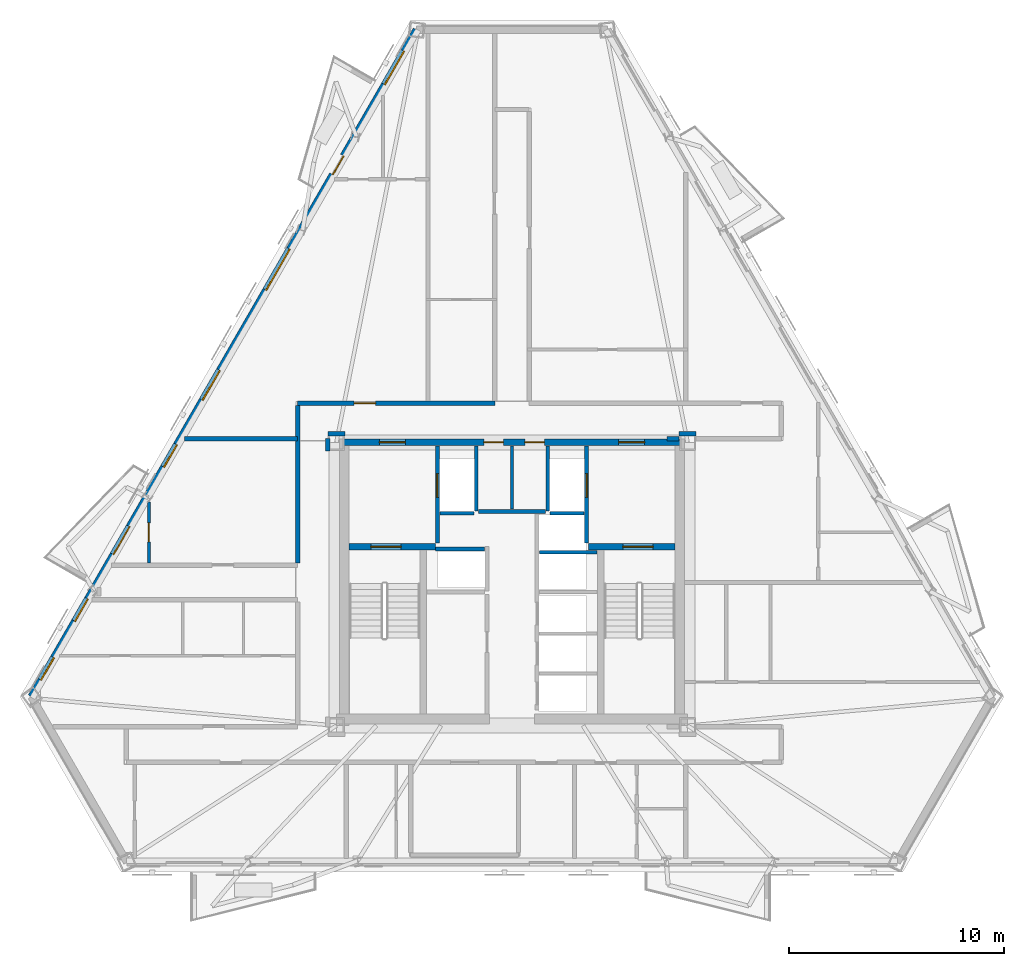
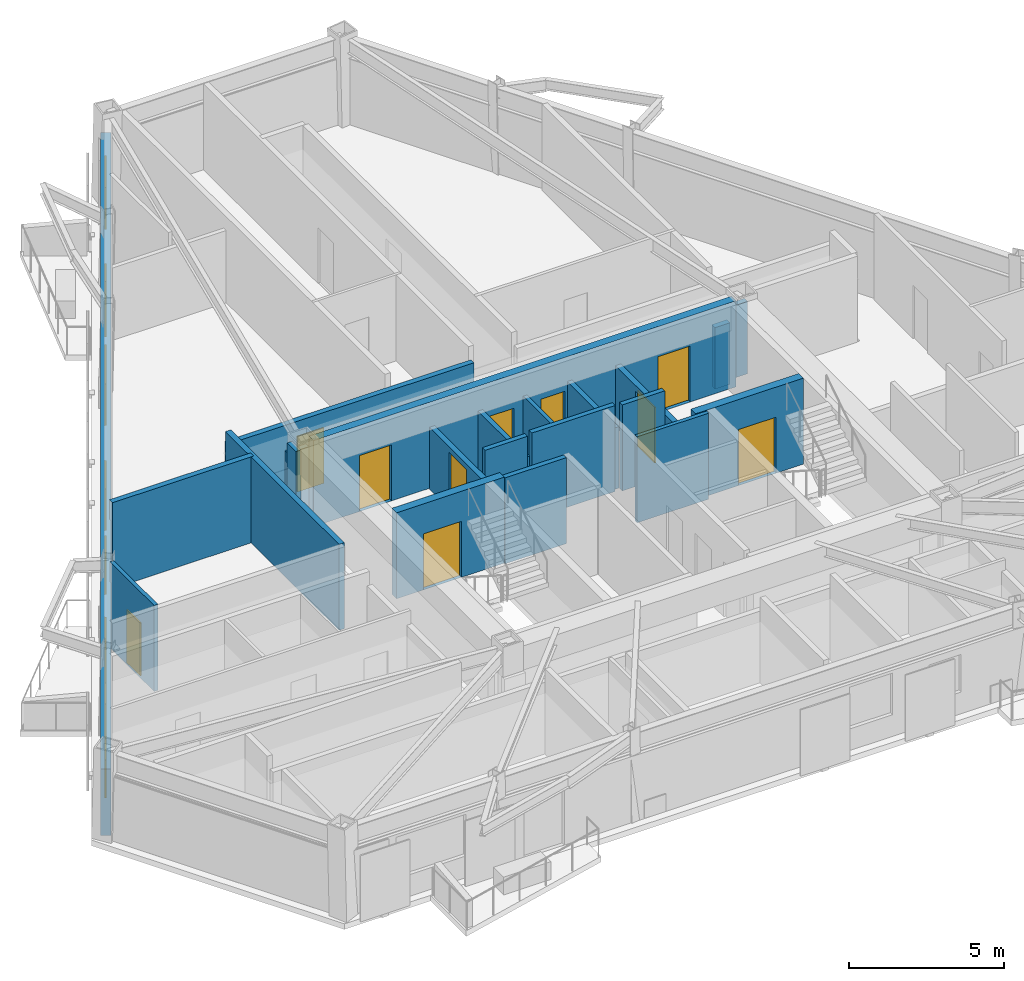
# One storey, part 4 of 9: 22 walls, 12 doors, 6 windows, 18 openings.
"""IFC4 building model written with IfcOpenShell, lengths in metres."""

from ifc_helpers import new_model, si_unit, direction, frame, frame_2d, origin, place, context, subcontext, project, spatial, rectangle, extrude, material, layer, layer_set, type_object, element, fill, save


model = new_model("IFC4")

# Units and contexts
model_context = context("Model", 3, precision=1e-05, world=origin(), true_north=direction((0.0, 1.0)))
body_context = subcontext(model_context, "Body", "Model", "MODEL_VIEW")
ifc_project = project(units=[si_unit("LENGTHUNIT", "METRE"), si_unit("AREAUNIT", "SQUARE_METRE"), si_unit("VOLUMEUNIT", "CUBIC_METRE"), si_unit("PLANEANGLEUNIT", "RADIAN"), si_unit("MASSUNIT", "GRAM", prefix="KILO")], contexts=[model_context])

# Site, building, storey
site_placement = place(None, origin())
site = spatial("IfcSite", under=ifc_project, at=site_placement, CompositionType="ELEMENT")
building_placement = place(site_placement, origin())
building = spatial("IfcBuilding", under=site, at=building_placement, Name="Oramaril Tower", CompositionType="ELEMENT")
storey_placement = place(building_placement, frame((0.0, 0.0, 163.800048828125)))
storey = spatial("IfcBuildingStorey", under=building, at=storey_placement, Name="L43", CompositionType="ELEMENT", Elevation=163.800048828125)

# Wall, openings, doors, windows
ifc_material_1 = material(Name="Warm Cream Limestone", Category="masonry")
ifc_layer_1 = layer(ifc_material_1, 0.340087890625)
ifc_layer_set_1 = layer_set([ifc_layer_1], Name="WT-EXT34")
wall_type_1 = type_object("IfcWallType", Name="WT-EXT34", PredefinedType="SOLIDWALL", material=ifc_layer_set_1)
wall_1_placement = place(storey_placement, frame((33.064697265625, 43.2939453125, 0.0), z_axis=(0.0, 0.0, 1.0), x_axis=(-0.499998611639, -0.866026205354, 0.0)))
wall_1 = element("IfcWall", 1, at=wall_1_placement, inside=storey, type_object=wall_type_1, Name="L43 Tower Limestone Facade Wall 6M", PredefinedType="SOLIDWALL", context=body_context, shape_type="SweptSolid", body=[
    extrude(rectangle(XDim=35.73779296875, YDim=0.340087890625, at=frame_2d((17.868896484375, 0.0))), origin(), (0.0, 0.0, 1.0), 2.599853515625),
])
opening_1_placement = place(wall_1_placement, frame((6.759521484375, 0.0, 0.0)))
opening_1 = element("IfcOpeningElement", 2, at=opening_1_placement, cuts=wall_1, Name="Opening D-L43-BAL-NW1", PredefinedType="OPENING", context=body_context, shape_type="SweptSolid", body=[
    extrude(rectangle(XDim=1.0, YDim=2.179931640625, at=frame_2d((0.5, 1.08984375))), frame((0.0, 0.169921875, 0.0), z_axis=(0.0, -1.0, 0.0), x_axis=(1.0, 0.0, 0.0)), (0.0, 0.0, 1.0), 0.340087890625),
])
opening_2_placement = place(wall_1_placement, frame((26.62353515625, 0.0, 0.0)))
opening_2 = element("IfcOpeningElement", 3, at=opening_2_placement, cuts=wall_1, Name="Opening D-L43-BAL-NW2", PredefinedType="OPENING", context=body_context, shape_type="SweptSolid", body=[
    extrude(rectangle(XDim=1.5, YDim=2.199951171875, at=frame_2d((0.75, 1.10009765625))), frame((0.0, 0.169921875, 0.0), z_axis=(0.0, -1.0, 0.0), x_axis=(1.0, 0.0, 0.0)), (0.0, 0.0, 1.0), 0.340087890625),
])
opening_3_placement = place(wall_1_placement, frame((33.6484375, 0.0, 0.85009765625)))
opening_3 = element("IfcOpeningElement", 4, at=opening_3_placement, cuts=wall_1, Name="Opening WN-09", PredefinedType="OPENING", context=body_context, shape_type="SweptSolid", body=[
    extrude(rectangle(XDim=1.199951171875, YDim=1.47998046875, at=frame_2d((0.60009765625, 0.739990234375))), frame((0.0, 0.169921875, 0.0), z_axis=(0.0, -1.0, 0.0), x_axis=(1.0, 0.0, 0.0)), (0.0, 0.0, 1.0), 0.340087890625),
])
opening_4_placement = place(wall_1_placement, frame((22.239501953125, 0.0, 0.85009765625)))
opening_4 = element("IfcOpeningElement", 5, at=opening_4_placement, cuts=wall_1, Name="Opening WN-09", PredefinedType="OPENING", context=body_context, shape_type="SweptSolid", body=[
    extrude(rectangle(XDim=1.199951171875, YDim=1.47998046875, at=frame_2d((0.60009765625, 0.739990234375))), frame((0.0, 0.169921875, 0.0), z_axis=(0.0, -1.0, 0.0), x_axis=(1.0, 0.0, 0.0)), (0.0, 0.0, 1.0), 0.340087890625),
])
opening_5_placement = place(wall_1_placement, frame((11.751220703125, 0.0, 0.85009765625)))
opening_5 = element("IfcOpeningElement", 6, at=opening_5_placement, cuts=wall_1, Name="Opening WN-04", PredefinedType="OPENING", context=body_context, shape_type="SweptSolid", body=[
    extrude(rectangle(XDim=2.199951171875, YDim=1.639892578125, at=frame_2d((1.10009765625, 0.81982421875))), frame((0.0, 0.169921875, 0.0), z_axis=(0.0, -1.0, 0.0), x_axis=(1.0, 0.0, 0.0)), (0.0, 0.0, 1.0), 0.340087890625),
])
opening_6_placement = place(wall_1_placement, frame((18.248046875, 0.0, 0.85009765625)))
opening_6 = element("IfcOpeningElement", 7, at=opening_6_placement, cuts=wall_1, Name="Opening WN-07", PredefinedType="OPENING", context=body_context, shape_type="SweptSolid", body=[
    extrude(rectangle(XDim=1.60009765625, YDim=1.639892578125, at=frame_2d((0.800048828125, 0.81982421875))), frame((0.0, 0.169921875, 0.0), z_axis=(0.0, -1.0, 0.0), x_axis=(1.0, 0.0, 0.0)), (0.0, 0.0, 1.0), 0.340087890625),
])
opening_7_placement = place(wall_1_placement, frame((1.13916015625, 0.0, 0.85009765625)))
opening_7 = element("IfcOpeningElement", 8, at=opening_7_placement, cuts=wall_1, Name="Opening WN-06", PredefinedType="OPENING", context=body_context, shape_type="SweptSolid", body=[
    extrude(rectangle(XDim=1.800048828125, YDim=1.639892578125, at=frame_2d((0.89990234375, 0.81982421875))), frame((0.0, 0.169921875, 0.0), z_axis=(0.0, -1.0, 0.0), x_axis=(1.0, 0.0, 0.0)), (0.0, 0.0, 1.0), 0.340087890625),
])
opening_8_placement = place(wall_1_placement, frame((30.5, 0.0, 0.85009765625)))
opening_8 = element("IfcOpeningElement", 9, at=opening_8_placement, cuts=wall_1, Name="Opening WN-09", PredefinedType="OPENING", context=body_context, shape_type="SweptSolid", body=[
    extrude(rectangle(XDim=1.199951171875, YDim=1.47998046875, at=frame_2d((0.60009765625, 0.739990234375))), frame((0.0, 0.169921875, 0.0), z_axis=(0.0, -1.0, 0.0), x_axis=(1.0, 0.0, 0.0)), (0.0, 0.0, 1.0), 0.340087890625),
])
ifc_material_2 = material(Name="Anodised Aluminium 6063-T6", Category="aluminium")
door_type_1 = type_object("IfcDoorType", Name="DT-BAL", OperationType="NOTDEFINED", PredefinedType="DOOR", material=ifc_material_2)
door_1_placement = place(opening_2_placement, origin())
door_1 = element("IfcDoor", 10, at=door_1_placement, inside=storey, type_object=door_type_1, Name="L43 Balcony Glazed Door L43-BAL-NW2", OperationType="SINGLE_SWING_LEFT", OverallHeight=2.199951171875, OverallWidth=1.5, PredefinedType="DOOR", context=body_context, shape_type="SweptSolid", body=[
    extrude(rectangle(XDim=1.5, YDim=2.199951171875, at=frame_2d((0.75, 1.10009765625))), frame((0.0, 0.02490234375, 0.0), z_axis=(0.0, -1.0, 0.0), x_axis=(1.0, 0.0, 0.0)), (0.0, 0.0, 1.0), 0.050048828125),
])
fill(opening_2, door_1)
ifc_material_3 = material(Name="Anodised Aluminium 6063-T6", Category="aluminium")
door_type_2 = type_object("IfcDoorType", Name="DT-BALN", OperationType="NOTDEFINED", PredefinedType="DOOR", material=ifc_material_3)
door_2_placement = place(opening_1_placement, origin())
door_2 = element("IfcDoor", 11, at=door_2_placement, inside=storey, type_object=door_type_2, Name="L43 Balcony Glazed Door L43-BAL-NW1", OperationType="SINGLE_SWING_RIGHT", OverallHeight=2.179931640625, OverallWidth=1.0, PredefinedType="DOOR", context=body_context, shape_type="SweptSolid", body=[
    extrude(rectangle(XDim=1.0, YDim=2.179931640625, at=frame_2d((0.5, 1.08984375))), frame((0.0, 0.02490234375, 0.0), z_axis=(0.0, -1.0, 0.0), x_axis=(1.0, 0.0, 0.0)), (0.0, 0.0, 1.0), 0.050048828125),
])
fill(opening_1, door_2)
ifc_material_4 = material(Name="Coastal Low-E Insulated Glass", Category="glass")
window_type_1 = type_object("IfcWindowType", Name="WNT-04", PartitioningType="SINGLE_PANEL", PredefinedType="WINDOW", material=ifc_material_4)
window_1_placement = place(opening_5_placement, origin())
window_1 = element("IfcWindow", 12, at=window_1_placement, inside=storey, type_object=window_type_1, Name="L43 Chicago Bay Window WN-04", OverallHeight=1.639892578125, OverallWidth=2.199951171875, PartitioningType="SINGLE_PANEL", PredefinedType="WINDOW", context=body_context, shape_type="SweptSolid", body=[
    extrude(rectangle(XDim=2.199951171875, YDim=1.639892578125, at=frame_2d((1.10009765625, 0.81982421875))), frame((0.0, 0.030029296875, 0.0), z_axis=(0.0, -1.0, 0.0), x_axis=(1.0, 0.0, 0.0)), (0.0, 0.0, 1.0), 0.06005859375),
])
fill(opening_5, window_1)
ifc_material_5 = material(Name="Coastal Low-E Insulated Glass", Category="glass")
window_type_2 = type_object("IfcWindowType", Name="WNT-06", PartitioningType="SINGLE_PANEL", PredefinedType="WINDOW", material=ifc_material_5)
window_2_placement = place(opening_7_placement, origin())
window_2 = element("IfcWindow", 13, at=window_2_placement, inside=storey, type_object=window_type_2, Name="L43 Chicago Bay Window WN-06", OverallHeight=1.639892578125, OverallWidth=1.800048828125, PartitioningType="SINGLE_PANEL", PredefinedType="WINDOW", context=body_context, shape_type="SweptSolid", body=[
    extrude(rectangle(XDim=1.800048828125, YDim=1.639892578125, at=frame_2d((0.89990234375, 0.81982421875))), frame((0.0, 0.030029296875, 0.0), z_axis=(0.0, -1.0, 0.0), x_axis=(1.0, 0.0, 0.0)), (0.0, 0.0, 1.0), 0.06005859375),
])
fill(opening_7, window_2)
ifc_material_6 = material(Name="Coastal Low-E Insulated Glass", Category="glass")
window_type_3 = type_object("IfcWindowType", Name="WNT-07", PartitioningType="SINGLE_PANEL", PredefinedType="WINDOW", material=ifc_material_6)
window_3_placement = place(opening_6_placement, origin())
window_3 = element("IfcWindow", 14, at=window_3_placement, inside=storey, type_object=window_type_3, Name="L43 Chicago Bay Window WN-07", OverallHeight=1.639892578125, OverallWidth=1.60009765625, PartitioningType="SINGLE_PANEL", PredefinedType="WINDOW", context=body_context, shape_type="SweptSolid", body=[
    extrude(rectangle(XDim=1.60009765625, YDim=1.639892578125, at=frame_2d((0.800048828125, 0.81982421875))), frame((0.0, 0.030029296875, 0.0), z_axis=(0.0, -1.0, 0.0), x_axis=(1.0, 0.0, 0.0)), (0.0, 0.0, 1.0), 0.06005859375),
])
fill(opening_6, window_3)
ifc_material_7 = material(Name="Coastal Low-E Insulated Glass", Category="glass")
window_type_4 = type_object("IfcWindowType", Name="WNT-09", PartitioningType="SINGLE_PANEL", PredefinedType="WINDOW", material=ifc_material_7)
window_4_placement = place(opening_3_placement, origin())
window_4 = element("IfcWindow", 15, at=window_4_placement, inside=storey, type_object=window_type_4, Name="L43 Chicago Bay Window WN-09", OverallHeight=1.47998046875, OverallWidth=1.199951171875, PartitioningType="SINGLE_PANEL", PredefinedType="WINDOW", context=body_context, shape_type="SweptSolid", body=[
    extrude(rectangle(XDim=1.199951171875, YDim=1.47998046875, at=frame_2d((0.60009765625, 0.739990234375))), frame((0.0, 0.030029296875, 0.0), z_axis=(0.0, -1.0, 0.0), x_axis=(1.0, 0.0, 0.0)), (0.0, 0.0, 1.0), 0.06005859375),
])
fill(opening_3, window_4)
window_5_placement = place(opening_4_placement, origin())
window_5 = element("IfcWindow", 16, at=window_5_placement, inside=storey, type_object=window_type_4, Name="L43 Chicago Bay Window WN-09", OverallHeight=1.47998046875, OverallWidth=1.199951171875, PartitioningType="SINGLE_PANEL", PredefinedType="WINDOW", context=body_context, shape_type="SweptSolid", body=[
    extrude(rectangle(XDim=1.199951171875, YDim=1.47998046875, at=frame_2d((0.60009765625, 0.739990234375))), frame((0.0, 0.030029296875, 0.0), z_axis=(0.0, -1.0, 0.0), x_axis=(1.0, 0.0, 0.0)), (0.0, 0.0, 1.0), 0.06005859375),
])
fill(opening_4, window_5)
window_6_placement = place(opening_8_placement, origin())
window_6 = element("IfcWindow", 17, at=window_6_placement, inside=storey, type_object=window_type_4, Name="L43 Apartment Bedroom Window WN-09", OverallHeight=1.47998046875, OverallWidth=1.199951171875, PartitioningType="SINGLE_PANEL", PredefinedType="WINDOW", context=body_context, shape_type="SweptSolid", body=[
    extrude(rectangle(XDim=1.199951171875, YDim=1.47998046875, at=frame_2d((0.60009765625, 0.739990234375))), frame((0.0, 0.030029296875, 0.0), z_axis=(0.0, -1.0, 0.0), x_axis=(1.0, 0.0, 0.0)), (0.0, 0.0, 1.0), 0.06005859375),
])
fill(opening_8, window_6)

# Walls
ifc_material_8 = material(Name="Acoustic Gypsum Board Partition")
ifc_layer_2 = layer(ifc_material_8, 0.139892578125)
ifc_layer_set_2 = layer_set([ifc_layer_2], Name="WT-PT14")
wall_type_2 = type_object("IfcWallType", Name="WT-PT14", PredefinedType="PARTITIONING", material=ifc_layer_set_2)
wall_2_placement = place(storey_placement, frame((38.780029296875, 19.050048828125, 0.0), z_axis=(0.0, 0.0, 1.0), x_axis=(1.0, 0.0, 0.0)))
element("IfcWall", 18, at=wall_2_placement, inside=storey, type_object=wall_type_2, Name="L43 East Lift Divider", PredefinedType="PARTITIONING", context=body_context, shape_type="SweptSolid", body=[
    extrude(rectangle(XDim=2.659912109375, YDim=0.139892578125, at=frame_2d((1.330078125, 0.0))), origin(), (0.0, 0.0, 1.0), 3.3798828125),
])
wall_3_placement = place(storey_placement, frame((37.5, 21.06005859375, 0.0), z_axis=(0.0, 0.0, 1.0), x_axis=(0.0, 1.0, 0.0)))
element("IfcWall", 19, at=wall_3_placement, inside=storey, type_object=wall_type_2, Name="L43 Core Service Divider", PredefinedType="PARTITIONING", context=body_context, shape_type="SweptSolid", body=[
    extrude(rectangle(XDim=2.919921875, YDim=0.139892578125, at=frame_2d((1.4599609375, 0.0))), origin(), (0.0, 0.0, 1.0), 2.419921875),
])

# Wall, opening, door
wall_4_placement = place(storey_placement, frame((20.64990234375, 18.553955078125, 0.0), z_axis=(0.0, 0.0, 1.0), x_axis=(0.0, 1.0, 0.0)))
wall_4 = element("IfcWall", 20, at=wall_4_placement, inside=storey, type_object=wall_type_2, Name="L43 Interior Partition PT-14", PredefinedType="PARTITIONING", context=body_context, shape_type="SweptSolid", body=[
    extrude(rectangle(XDim=2.83642578125, YDim=0.139892578125, at=frame_2d((1.418212890625, 0.0))), origin(), (0.0, 0.0, 1.0), 3.3798828125),
])
opening_9_placement = place(wall_4_placement, frame((0.9814453125, 0.0, 0.0)))
opening_9 = element("IfcOpeningElement", 21, at=opening_9_placement, cuts=wall_4, Name="Opening D-L43-21", PredefinedType="OPENING", context=body_context, shape_type="SweptSolid", body=[
    extrude(rectangle(XDim=0.8798828125, YDim=2.080078125, at=frame_2d((0.43994140625, 1.0400390625))), frame((0.0, 0.06982421875, 0.0), z_axis=(0.0, -1.0, 0.0), x_axis=(1.0, 0.0, 0.0)), (0.0, 0.0, 1.0), 0.139892578125),
])
ifc_material_9 = material(Name="FSC Brazilian Freijo Hardwood", Category="wood")
door_type_3 = type_object("IfcDoorType", Name="DT-BATH", OperationType="NOTDEFINED", PredefinedType="DOOR", material=ifc_material_9)
door_3_placement = place(opening_9_placement, origin())
door_3 = element("IfcDoor", 22, at=door_3_placement, inside=storey, type_object=door_type_3, Name="L43 Flat L43-U5 Bathroom Door D-L43-21", OperationType="SINGLE_SWING_LEFT", OverallHeight=2.080078125, OverallWidth=0.8798828125, PredefinedType="DOOR", context=body_context, shape_type="SweptSolid", body=[
    extrude(rectangle(XDim=0.8798828125, YDim=2.080078125, at=frame_2d((0.43994140625, 1.0400390625))), frame((0.0, 0.02490234375, 0.0), z_axis=(0.0, -1.0, 0.0), x_axis=(1.0, 0.0, 0.0)), (0.0, 0.0, 1.0), 0.050048828125),
])
fill(opening_9, door_3)

# Walls
ifc_material_10 = material(Name="Autoclaved Cellular Concrete Block", Category="concrete")
ifc_layer_3 = layer(ifc_material_10, 0.179931640625)
ifc_layer_set_3 = layer_set([ifc_layer_3], Name="WT-PT18")
wall_type_3 = type_object("IfcWallType", Name="WT-PT18", PredefinedType="PARTITIONING", material=ifc_layer_set_3)
wall_5_placement = place(storey_placement, frame((35.840087890625, 20.9599609375, 0.0), z_axis=(0.0, 0.0, 1.0), x_axis=(0.0, 1.0, 0.0)))
element("IfcWall", 23, at=wall_5_placement, inside=storey, type_object=wall_type_3, Name="L43 FL-1 East Shaft Wall", PredefinedType="PARTITIONING", context=body_context, shape_type="SweptSolid", body=[
    extrude(rectangle(XDim=3.02001953125, YDim=0.179931640625, at=frame_2d((1.510009765625, 0.0))), origin(), (0.0, 0.0, 1.0), 2.419921875),
])
wall_6_placement = place(storey_placement, frame((34.159912109375, 20.860107421875, 0.0), z_axis=(0.0, 0.0, 1.0), x_axis=(1.0, 0.0, 0.0)))
element("IfcWall", 24, at=wall_6_placement, inside=storey, type_object=wall_type_3, Name="L43 FL-1 South Shaft Wall", PredefinedType="PARTITIONING", context=body_context, shape_type="SweptSolid", body=[
    extrude(rectangle(XDim=1.580078125, YDim=0.179931640625, at=frame_2d((0.7900390625, 0.0))), origin(), (0.0, 0.0, 1.0), 3.3798828125),
])
wall_7_placement = place(storey_placement, frame((39.159912109375, 20.9599609375, 0.0), z_axis=(0.0, 0.0, 1.0), x_axis=(0.0, 1.0, 0.0)))
element("IfcWall", 25, at=wall_7_placement, inside=storey, type_object=wall_type_3, Name="L43 FL-2 West Shaft Wall", PredefinedType="PARTITIONING", context=body_context, shape_type="SweptSolid", body=[
    extrude(rectangle(XDim=3.02001953125, YDim=0.179931640625, at=frame_2d((1.510009765625, 0.0))), origin(), (0.0, 0.0, 1.0), 2.419921875),
])
wall_8_placement = place(storey_placement, frame((39.260009765625, 20.860107421875, 0.0), z_axis=(0.0, 0.0, 1.0), x_axis=(1.0, 0.0, 0.0)))
element("IfcWall", 26, at=wall_8_placement, inside=storey, type_object=wall_type_3, Name="L43 FL-2 South Shaft Wall", PredefinedType="PARTITIONING", context=body_context, shape_type="SweptSolid", body=[
    extrude(rectangle(XDim=1.580078125, YDim=0.179931640625, at=frame_2d((0.7900390625, 0.0))), origin(), (0.0, 0.0, 1.0), 3.3798828125),
])
wall_9_placement = place(storey_placement, frame((33.949951171875, 19.199951171875, 0.0), z_axis=(0.0, 0.0, 1.0), x_axis=(1.0, 0.0, 0.0)))
element("IfcWall", 27, at=wall_9_placement, inside=storey, type_object=wall_type_3, Name="L43 High-Rise Lift H1 North Shaft Wall", PredefinedType="PARTITIONING", context=body_context, shape_type="SweptSolid", body=[
    extrude(rectangle(XDim=2.27001953125, YDim=0.179931640625, at=frame_2d((1.135009765625, 0.0))), origin(), (0.0, 0.0, 1.0), 3.3798828125),
])
wall_10_placement = place(storey_placement, frame((35.949951171875, 20.949951171875, 0.0), z_axis=(0.0, 0.0, 1.0), x_axis=(1.0, 0.0, 0.0)))
element("IfcWall", 28, at=wall_10_placement, inside=storey, type_object=wall_type_3, Name="L43 Lift Lobby North Partition", PredefinedType="PARTITIONING", context=body_context, shape_type="SweptSolid", body=[
    extrude(rectangle(XDim=3.10009765625, YDim=0.179931640625, at=frame_2d((1.550048828125, 0.0))), origin(), (0.0, 0.0, 1.0), 3.3798828125),
])
ifc_material_11 = material(Name="Autoclaved Cellular Concrete Block", Category="concrete")
ifc_layer_4 = layer(ifc_material_11, 0.199951171875)
ifc_layer_set_4 = layer_set([ifc_layer_4], Name="WT-PT20")
wall_type_4 = type_object("IfcWallType", Name="WT-PT20", PredefinedType="PARTITIONING", material=ifc_layer_set_4)
wall_11_placement = place(storey_placement, frame((22.31103515625, 24.320068359375, 0.0), z_axis=(0.0, 0.0, 1.0), x_axis=(1.0, 0.0, 0.0)))
element("IfcWall", 29, at=wall_11_placement, inside=storey, type_object=wall_type_4, Name="L43 Interior Partition PT-20", PredefinedType="PARTITIONING", context=body_context, shape_type="SweptSolid", body=[
    extrude(rectangle(XDim=5.239013671875, YDim=0.199951171875, at=frame_2d((2.61962890625, 0.0))), origin(), (0.0, 0.0, 1.0), 3.3798828125),
])
wall_12_placement = place(storey_placement, frame((44.695068359375, 24.320068359375, 0.0), z_axis=(0.0, 0.0, 1.0), x_axis=(1.0, 0.0, 0.0)))
element("IfcWall", 30, at=wall_12_placement, inside=storey, type_object=wall_type_4, Name="L43 Interior Partition PT-20", PredefinedType="PARTITIONING", context=body_context, shape_type="SweptSolid", body=[
    extrude(rectangle(XDim=0.56494140625, YDim=0.199951171875, at=frame_2d((0.282470703125, 0.0))), origin(), (0.0, 0.0, 1.0), 2.419921875),
])
for number, where, z_axis, x_axis, name in (
    (31, (28.955078125, 24.550048828125, 0.0), (0.0, 0.0, 1.0), (1.0, 0.0, 0.0), "L43 Interior Partition PT-20"),
    (32, (45.2548828125, 24.550048828125, 0.0), (0.0, 0.0, 1.0), (1.0, 0.0, 0.0), "L43 Interior Partition PT-20"),
):
    element("IfcWall", number, at=place(storey_placement, frame(where, z_axis=z_axis, x_axis=x_axis)), inside=storey, type_object=wall_type_4, Name=name, PredefinedType="PARTITIONING", context=body_context, shape_type="SweptSolid", body=[
        extrude(rectangle(XDim=0.7900390625, YDim=0.199951171875, at=frame_2d((0.39501953125, 0.0))), origin(), (0.0, 0.0, 1.0), 2.842041015625),
    ])

# Wall, opening, door
wall_13_placement = place(storey_placement, frame((27.550048828125, 25.969970703125, 0.0), z_axis=(0.0, 0.0, 1.0), x_axis=(1.0, 0.0, 0.0)))
wall_13 = element("IfcWall", 33, at=wall_13_placement, inside=storey, type_object=wall_type_4, Name="L43 Interior Partition PT-20", PredefinedType="PARTITIONING", context=body_context, shape_type="SweptSolid", body=[
    extrude(rectangle(XDim=9.14990234375, YDim=0.199951171875, at=frame_2d((4.574951171875, 0.0))), origin(), (0.0, 0.0, 1.0), 2.842041015625),
])
opening_10_placement = place(wall_13_placement, frame((2.618896484375, 0.0, 0.0)))
opening_10 = element("IfcOpeningElement", 34, at=opening_10_placement, cuts=wall_13, Name="Opening D-L43-14", PredefinedType="OPENING", context=body_context, shape_type="SweptSolid", body=[
    extrude(rectangle(XDim=1.0, YDim=2.179931640625, at=frame_2d((0.5, 1.08984375))), frame((0.0, 0.10009765625, 0.0), z_axis=(0.0, -1.0, 0.0), x_axis=(1.0, 0.0, 0.0)), (0.0, 0.0, 1.0), 0.199951171875),
])
ifc_material_12 = material(Name="FSC Brazilian Freijo Hardwood", Category="wood")
door_type_4 = type_object("IfcDoorType", Name="DT-APT", OperationType="NOTDEFINED", PredefinedType="DOOR", material=ifc_material_12)
door_4_placement = place(opening_10_placement, origin())
door_4 = element("IfcDoor", 35, at=door_4_placement, inside=storey, type_object=door_type_4, Name="L43 Flat L43-U8 Studio Apartment Door D-L43-14", OperationType="SINGLE_SWING_RIGHT", OverallHeight=2.179931640625, OverallWidth=1.0, PredefinedType="DOOR", context=body_context, shape_type="SweptSolid", body=[
    extrude(rectangle(XDim=1.0, YDim=2.179931640625, at=frame_2d((0.5, 1.08984375))), frame((0.0, 0.02490234375, 0.0), z_axis=(0.0, -1.0, 0.0), x_axis=(1.0, 0.0, 0.0)), (0.0, 0.0, 1.0), 0.050048828125),
])
fill(opening_10, door_4)

# Walls
wall_14_placement = place(storey_placement, frame((27.550048828125, 18.553955078125, 0.0), z_axis=(0.0, 0.0, 1.0), x_axis=(0.0, 1.0, 0.0)))
element("IfcWall", 36, at=wall_14_placement, inside=storey, type_object=wall_type_4, Name="L43 Interior Partition PT-20", PredefinedType="PARTITIONING", context=body_context, shape_type="SweptSolid", body=[
    extrude(rectangle(XDim=7.31201171875, YDim=0.199951171875, at=frame_2d((3.656005859375, 0.0))), origin(), (0.0, 0.0, 1.0), 3.3798828125),
])
wall_15_placement = place(storey_placement, frame((28.949951171875, 23.7548828125, 0.0), z_axis=(0.0, 0.0, 1.0), x_axis=(0.0, 1.0, 0.0)))
element("IfcWall", 37, at=wall_15_placement, inside=storey, type_object=wall_type_4, Name="L43 Interior Partition PT-20", PredefinedType="PARTITIONING", context=body_context, shape_type="SweptSolid", body=[
    extrude(rectangle(XDim=0.565185546875, YDim=0.199951171875, at=frame_2d((0.28271484375, 0.0))), origin(), (0.0, 0.0, 1.0), 3.3798828125),
])

# Wall, openings, doors
ifc_material_13 = material(Name="Concrete C50/60", Category="concrete")
ifc_layer_5 = layer(ifc_material_13, 0.300048828125)
ifc_layer_set_5 = layer_set([ifc_layer_5], Name="WT-SH30")
wall_type_5 = type_object("IfcWallType", Name="WT-SH30", PredefinedType="SHEAR", material=ifc_layer_set_5)
wall_16_placement = place(storey_placement, frame((29.64990234375, 24.14990234375, 0.0), z_axis=(0.0, 0.0, 1.0), x_axis=(1.0, 0.0, 0.0)))
wall_16 = element("IfcWall", 38, at=wall_16_placement, inside=storey, type_object=wall_type_5, Name="L43 Core Shear Wall CW-N", PredefinedType="SHEAR", context=body_context, shape_type="SweptSolid", body=[
    extrude(rectangle(XDim=15.7001953125, YDim=0.300048828125, at=frame_2d((7.85009765625, 0.0))), origin(), (0.0, 0.0, 1.0), 3.3798828125),
])
opening_11_placement = place(wall_16_placement, frame((1.699951171875, 0.0, 0.0)))
opening_11 = element("IfcOpeningElement", 39, at=opening_11_placement, cuts=wall_16, Name="Opening D-L43-FFL1", PredefinedType="OPENING", context=body_context, shape_type="SweptSolid", body=[
    extrude(rectangle(XDim=1.199951171875, YDim=2.199951171875, at=frame_2d((0.60009765625, 1.10009765625))), frame((0.0, 0.14990234375, 0.0), z_axis=(0.0, -1.0, 0.0), x_axis=(1.0, 0.0, 0.0)), (0.0, 0.0, 1.0), 0.300048828125),
])
opening_12_placement = place(wall_16_placement, frame((12.800048828125, 0.0, 0.0)))
opening_12 = element("IfcOpeningElement", 40, at=opening_12_placement, cuts=wall_16, Name="Opening D-L43-FFL2", PredefinedType="OPENING", context=body_context, shape_type="SweptSolid", body=[
    extrude(rectangle(XDim=1.199951171875, YDim=2.199951171875, at=frame_2d((0.60009765625, 1.10009765625))), frame((0.0, 0.14990234375, 0.0), z_axis=(0.0, -1.0, 0.0), x_axis=(1.0, 0.0, 0.0)), (0.0, 0.0, 1.0), 0.300048828125),
])
opening_13_placement = place(wall_16_placement, frame((6.550048828125, 0.0, 0.0)))
opening_13 = element("IfcOpeningElement", 41, at=opening_13_placement, cuts=wall_16, Name="Opening D-L43-SV1", PredefinedType="OPENING", context=body_context, shape_type="SweptSolid", body=[
    extrude(rectangle(XDim=0.89990234375, YDim=2.050048828125, at=frame_2d((0.449951171875, 1.02490234375))), frame((0.0, 0.14990234375, 0.0), z_axis=(0.0, -1.0, 0.0), x_axis=(1.0, 0.0, 0.0)), (0.0, 0.0, 1.0), 0.300048828125),
])
opening_14_placement = place(wall_16_placement, frame((8.449951171875, 0.0, 0.0)))
opening_14 = element("IfcOpeningElement", 42, at=opening_14_placement, cuts=wall_16, Name="Opening D-L43-SV2", PredefinedType="OPENING", context=body_context, shape_type="SweptSolid", body=[
    extrude(rectangle(XDim=0.89990234375, YDim=2.050048828125, at=frame_2d((0.449951171875, 1.02490234375))), frame((0.0, 0.14990234375, 0.0), z_axis=(0.0, -1.0, 0.0), x_axis=(1.0, 0.0, 0.0)), (0.0, 0.0, 1.0), 0.300048828125),
])
ifc_material_14 = material(Name="Painted Galvanised Steel", Category="steel")
door_type_5 = type_object("IfcDoorType", Name="DT-FFL", OperationType="NOTDEFINED", PredefinedType="DOOR", material=ifc_material_14)
door_5_placement = place(opening_11_placement, origin())
door_5 = element("IfcDoor", 43, at=door_5_placement, inside=storey, type_object=door_type_5, Name="L43 Firefighting Lobby 1 Fire Door", OperationType="SINGLE_SWING_LEFT", OverallHeight=2.199951171875, OverallWidth=1.199951171875, PredefinedType="DOOR", context=body_context, shape_type="SweptSolid", body=[
    extrude(rectangle(XDim=1.199951171875, YDim=2.199951171875, at=frame_2d((0.60009765625, 1.10009765625))), frame((0.0, 0.02490234375, 0.0), z_axis=(0.0, -1.0, 0.0), x_axis=(1.0, 0.0, 0.0)), (0.0, 0.0, 1.0), 0.050048828125),
])
fill(opening_11, door_5)
door_6_placement = place(opening_12_placement, origin())
door_6 = element("IfcDoor", 44, at=door_6_placement, inside=storey, type_object=door_type_5, Name="L43 Firefighting Lobby 2 Fire Door", OperationType="SINGLE_SWING_RIGHT", OverallHeight=2.199951171875, OverallWidth=1.199951171875, PredefinedType="DOOR", context=body_context, shape_type="SweptSolid", body=[
    extrude(rectangle(XDim=1.199951171875, YDim=2.199951171875, at=frame_2d((0.60009765625, 1.10009765625))), frame((0.0, 0.02490234375, 0.0), z_axis=(0.0, -1.0, 0.0), x_axis=(1.0, 0.0, 0.0)), (0.0, 0.0, 1.0), 0.050048828125),
])
fill(opening_12, door_6)
ifc_material_15 = material(Name="Painted Galvanised Steel", Category="steel")
door_type_6 = type_object("IfcDoorType", Name="DT-SVC", OperationType="NOTDEFINED", PredefinedType="DOOR", material=ifc_material_15)
door_7_placement = place(opening_13_placement, origin())
door_7 = element("IfcDoor", 45, at=door_7_placement, inside=storey, type_object=door_type_6, Name="L43 Core Service Store 1 Door", OperationType="SINGLE_SWING_LEFT", OverallHeight=2.050048828125, OverallWidth=0.89990234375, PredefinedType="DOOR", context=body_context, shape_type="SweptSolid", body=[
    extrude(rectangle(XDim=0.89990234375, YDim=2.050048828125, at=frame_2d((0.449951171875, 1.02490234375))), frame((0.0, 0.02490234375, 0.0), z_axis=(0.0, -1.0, 0.0), x_axis=(1.0, 0.0, 0.0)), (0.0, 0.0, 1.0), 0.050048828125),
])
fill(opening_13, door_7)
door_8_placement = place(opening_14_placement, origin())
door_8 = element("IfcDoor", 46, at=door_8_placement, inside=storey, type_object=door_type_6, Name="L43 Core Service Store 2 Door", OperationType="SINGLE_SWING_RIGHT", OverallHeight=2.050048828125, OverallWidth=0.89990234375, PredefinedType="DOOR", context=body_context, shape_type="SweptSolid", body=[
    extrude(rectangle(XDim=0.89990234375, YDim=2.050048828125, at=frame_2d((0.449951171875, 1.02490234375))), frame((0.0, 0.02490234375, 0.0), z_axis=(0.0, -1.0, 0.0), x_axis=(1.0, 0.0, 0.0)), (0.0, 0.0, 1.0), 0.050048828125),
])
fill(opening_14, door_8)

# Wall, opening, door
wall_17_placement = place(storey_placement, frame((29.93994140625, 19.31005859375, 0.0), z_axis=(0.0, 0.0, 1.0), x_axis=(1.0, 0.0, 0.0)))
wall_17 = element("IfcWall", 47, at=wall_17_placement, inside=storey, type_object=wall_type_5, Name="L43 Core Shear Wall CW-ST1N", PredefinedType="SHEAR", context=body_context, shape_type="SweptSolid", body=[
    extrude(rectangle(XDim=4.010009765625, YDim=0.300048828125, at=frame_2d((2.0048828125, 0.0))), origin(), (0.0, 0.0, 1.0), 3.3798828125),
])
opening_15_placement = place(wall_17_placement, frame((1.010009765625, 0.0, 0.0)))
opening_15 = element("IfcOpeningElement", 48, at=opening_15_placement, cuts=wall_17, Name="Opening D-L43-ST1", PredefinedType="OPENING", context=body_context, shape_type="SweptSolid", body=[
    extrude(rectangle(XDim=1.39990234375, YDim=2.199951171875, at=frame_2d((0.699951171875, 1.10009765625))), frame((0.0, 0.14990234375, 0.0), z_axis=(0.0, -1.0, 0.0), x_axis=(1.0, 0.0, 0.0)), (0.0, 0.0, 1.0), 0.300048828125),
])
ifc_material_16 = material(Name="Painted Galvanised Steel", Category="steel")
door_type_7 = type_object("IfcDoorType", Name="DT-ST", OperationType="NOTDEFINED", PredefinedType="DOOR", material=ifc_material_16)
door_9_placement = place(opening_15_placement, origin())
door_9 = element("IfcDoor", 49, at=door_9_placement, inside=storey, type_object=door_type_7, Name="L43 Protected Stair ST-1 Fire Door", OperationType="SINGLE_SWING_LEFT", OverallHeight=2.199951171875, OverallWidth=1.39990234375, PredefinedType="DOOR", context=body_context, shape_type="SweptSolid", body=[
    extrude(rectangle(XDim=1.39990234375, YDim=2.199951171875, at=frame_2d((0.699951171875, 1.10009765625))), frame((0.0, 0.02490234375, 0.0), z_axis=(0.0, -1.0, 0.0), x_axis=(1.0, 0.0, 0.0)), (0.0, 0.0, 1.0), 0.050048828125),
])
fill(opening_15, door_9)

wall_18_placement = place(storey_placement, frame((41.050048828125, 19.31005859375, 0.0), z_axis=(0.0, 0.0, 1.0), x_axis=(1.0, 0.0, 0.0)))
wall_18 = element("IfcWall", 50, at=wall_18_placement, inside=storey, type_object=wall_type_5, Name="L43 Core Shear Wall CW-ST2N", PredefinedType="SHEAR", context=body_context, shape_type="SweptSolid", body=[
    extrude(rectangle(XDim=4.010009765625, YDim=0.300048828125, at=frame_2d((2.0048828125, 0.0))), origin(), (0.0, 0.0, 1.0), 3.3798828125),
])
opening_16_placement = place(wall_18_placement, frame((1.60009765625, 0.0, 0.0)))
opening_16 = element("IfcOpeningElement", 51, at=opening_16_placement, cuts=wall_18, Name="Opening D-L43-ST2", PredefinedType="OPENING", context=body_context, shape_type="SweptSolid", body=[
    extrude(rectangle(XDim=1.39990234375, YDim=2.199951171875, at=frame_2d((0.699951171875, 1.10009765625))), frame((0.0, 0.14990234375, 0.0), z_axis=(0.0, -1.0, 0.0), x_axis=(1.0, 0.0, 0.0)), (0.0, 0.0, 1.0), 0.300048828125),
])
door_10_placement = place(opening_16_placement, origin())
door_10 = element("IfcDoor", 52, at=door_10_placement, inside=storey, type_object=door_type_7, Name="L43 Protected Stair ST-2 Fire Door", OperationType="SINGLE_SWING_RIGHT", OverallHeight=2.199951171875, OverallWidth=1.39990234375, PredefinedType="DOOR", context=body_context, shape_type="SweptSolid", body=[
    extrude(rectangle(XDim=1.39990234375, YDim=2.199951171875, at=frame_2d((0.699951171875, 1.10009765625))), frame((0.0, 0.02490234375, 0.0), z_axis=(0.0, -1.0, 0.0), x_axis=(1.0, 0.0, 0.0)), (0.0, 0.0, 1.0), 0.050048828125),
])
fill(opening_16, door_10)

ifc_material_17 = material(Name="Autoclaved Cellular Concrete Block", Category="concrete")
ifc_layer_6 = layer(ifc_material_17, 0.199951171875)
ifc_layer_set_6 = layer_set([ifc_layer_6], Name="WT-SHF20")
wall_type_6 = type_object("IfcWallType", Name="WT-SHF20", PredefinedType="PARTITIONING", material=ifc_layer_set_6)
wall_19_placement = place(storey_placement, frame((34.0400390625, 19.47998046875, 0.0), z_axis=(0.0, 0.0, 1.0), x_axis=(0.0, 1.0, 0.0)))
wall_19 = element("IfcWall", 53, at=wall_19_placement, inside=storey, type_object=wall_type_6, Name="L43 FL-1 Lobby Shaft Wall", PredefinedType="PARTITIONING", context=body_context, shape_type="SweptSolid", body=[
    extrude(rectangle(XDim=4.5, YDim=0.199951171875, at=frame_2d((2.25, 0.0))), origin(), (0.0, 0.0, 1.0), 2.419921875),
])
opening_17_placement = place(wall_19_placement, frame((2.1201171875, 0.0, 0.0)))
opening_17 = element("IfcOpeningElement", 54, at=opening_17_placement, cuts=wall_19, Name="Opening LD-L43-FL-1", PredefinedType="OPENING", context=body_context, shape_type="SweptSolid", body=[
    extrude(rectangle(XDim=1.10009765625, YDim=2.199951171875, at=frame_2d((0.550048828125, 1.10009765625))), frame((0.0, 0.10009765625, 0.0), z_axis=(0.0, -1.0, 0.0), x_axis=(1.0, 0.0, 0.0)), (0.0, 0.0, 1.0), 0.199951171875),
])
ifc_material_18 = material(Name="Stainless Steel 316L", Category="steel")
door_type_8 = type_object("IfcDoorType", Name="DT-LD1", OperationType="NOTDEFINED", PredefinedType="DOOR", material=ifc_material_18)
door_11_placement = place(opening_17_placement, origin())
door_11 = element("IfcDoor", 55, at=door_11_placement, inside=storey, type_object=door_type_8, Name="L43 Lift FL-1 Sliding Landing Door", OperationType="SLIDING_TO_LEFT", OverallHeight=2.199951171875, OverallWidth=1.10009765625, PredefinedType="DOOR", context=body_context, shape_type="SweptSolid", body=[
    extrude(rectangle(XDim=1.10009765625, YDim=2.199951171875, at=frame_2d((0.550048828125, 1.10009765625))), frame((0.0, 0.02490234375, 0.0), z_axis=(0.0, -1.0, 0.0), x_axis=(1.0, 0.0, 0.0)), (0.0, 0.0, 1.0), 0.050048828125),
])
fill(opening_17, door_11)

wall_20_placement = place(storey_placement, frame((40.9599609375, 19.47998046875, 0.0), z_axis=(0.0, 0.0, 1.0), x_axis=(0.0, 1.0, 0.0)))
wall_20 = element("IfcWall", 56, at=wall_20_placement, inside=storey, type_object=wall_type_6, Name="L43 FL-2 Lobby Shaft Wall", PredefinedType="PARTITIONING", context=body_context, shape_type="SweptSolid", body=[
    extrude(rectangle(XDim=4.5, YDim=0.199951171875, at=frame_2d((2.25, 0.0))), origin(), (0.0, 0.0, 1.0), 2.419921875),
])
opening_18_placement = place(wall_20_placement, frame((2.1201171875, 0.0, 0.0)))
opening_18 = element("IfcOpeningElement", 57, at=opening_18_placement, cuts=wall_20, Name="Opening LD-L43-FL-2", PredefinedType="OPENING", context=body_context, shape_type="SweptSolid", body=[
    extrude(rectangle(XDim=1.10009765625, YDim=2.199951171875, at=frame_2d((0.550048828125, 1.10009765625))), frame((0.0, 0.10009765625, 0.0), z_axis=(0.0, -1.0, 0.0), x_axis=(1.0, 0.0, 0.0)), (0.0, 0.0, 1.0), 0.199951171875),
])
door_12_placement = place(opening_18_placement, origin())
door_12 = element("IfcDoor", 58, at=door_12_placement, inside=storey, type_object=door_type_8, Name="L43 Lift FL-2 Sliding Landing Door", OperationType="SLIDING_TO_RIGHT", OverallHeight=2.199951171875, OverallWidth=1.10009765625, PredefinedType="DOOR", context=body_context, shape_type="SweptSolid", body=[
    extrude(rectangle(XDim=1.10009765625, YDim=2.199951171875, at=frame_2d((0.550048828125, 1.10009765625))), frame((0.0, 0.02490234375, 0.0), z_axis=(0.0, -1.0, 0.0), x_axis=(1.0, 0.0, 0.0)), (0.0, 0.0, 1.0), 0.050048828125),
])
fill(opening_18, door_12)

save(model, "model.ifc")
